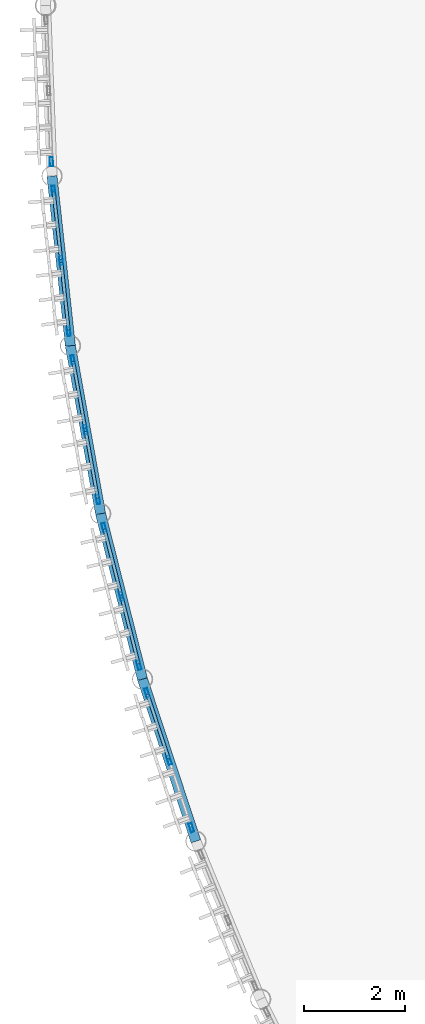
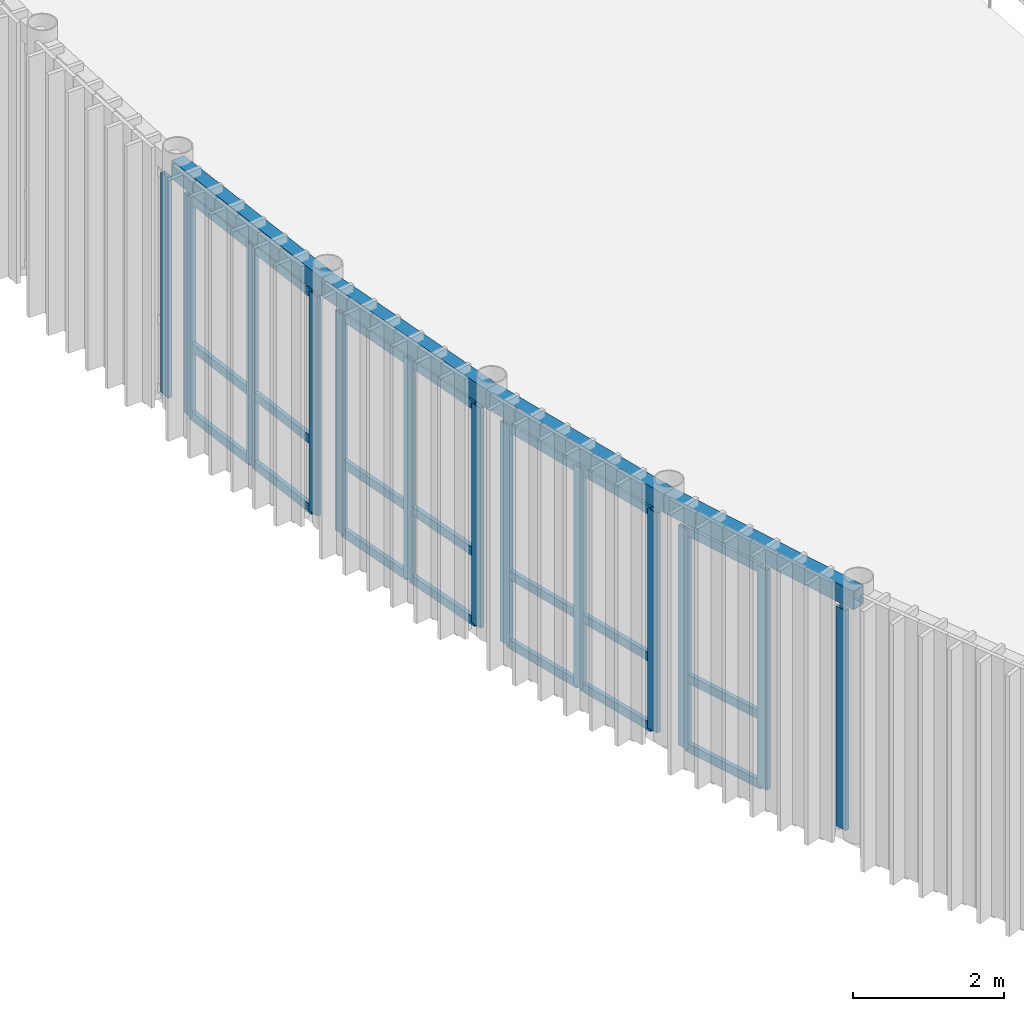
# One storey, part 19 of 54: 34 members, 4 beams, 5 elements without a shape of their own.
"""IFC4 building model written with IfcOpenShell, lengths in metres."""

from ifc_helpers import new_model, si_unit, direction, frame, origin, origin_2d, place, context, subcontext, project, spatial, hollow_rectangle, extrude, material, layer, layer_set, material_profile, profile_set, type_object, element, aggregate, save


model = new_model("IFC4")

# Units and contexts
model_context = context("Model", 3, precision=1e-05, world=origin(), true_north=direction((0.0, 1.0)))
body_context = subcontext(model_context, "Body", "Model", "MODEL_VIEW")
ifc_project = project(units=[si_unit("LENGTHUNIT", "METRE"), si_unit("AREAUNIT", "SQUARE_METRE"), si_unit("VOLUMEUNIT", "CUBIC_METRE"), si_unit("PLANEANGLEUNIT", "RADIAN"), si_unit("MASSUNIT", "GRAM", prefix="KILO")], contexts=[model_context])

# Site, building, storey
site_placement = place(None, origin())
site = spatial("IfcSite", under=ifc_project, at=site_placement, CompositionType="ELEMENT")
building_placement = place(site_placement, origin())
building = spatial("IfcBuilding", under=site, at=building_placement, Name="Selat Folded Stagehouse", CompositionType="ELEMENT")
storey_placement = place(building_placement, frame((0.0, 0.0, 15.0)))
storey = spatial("IfcBuildingStorey", under=building, at=storey_placement, Name="L03", CompositionType="ELEMENT", Elevation=15.0)

# Curtain wall, member
ifc_material_1 = material(Name="Aluminium 6063-T6", Category="aluminium")
ifc_layer = layer(ifc_material_1, 0.18505859375)
ifc_layer_set = layer_set([ifc_layer], Name="Aluminium 6063-T6")
curtain_wall_type = type_object("IfcCurtainWallType", Name="CW-DRM-UPPER", PredefinedType="NOTDEFINED", material=ifc_layer_set)
curtain_wall_1_placement = place(storey_placement, origin())
curtain_wall_1 = element("IfcCurtainWall", 1, at=curtain_wall_1_placement, inside=storey, type_object=curtain_wall_type, Name="L03 curtain wall CW-DRM-L03-02", PredefinedType="NOTDEFINED")
ifc_material_profile_1 = material_profile(ifc_material_1, hollow_rectangle(XDim=0.06494140625, YDim=0.179931640625, WallThickness=0.00390625, at=origin_2d()), Name="ALU 180x65x4.0")
ifc_profile_set_1 = profile_set([ifc_material_profile_1], Name="Aluminium 6063-T6")
member_type_1 = type_object("IfcMemberType", Name="CWM-MUL-180x65", PredefinedType="MULLION", material=ifc_profile_set_1)
member_1_placement = place(storey_placement, frame((0.115966796875, 44.79736328125, 0.0), z_axis=(0.0, 0.0, 1.0), x_axis=(-0.999293858167, -0.037573727908, 0.0)))
member_1 = element("IfcMember", 2, at=member_1_placement, type_object=member_type_1, Name="CW-03 mullion 1", PredefinedType="MULLION", context=body_context, shape_type="SweptSolid", body=[
    extrude(hollow_rectangle(XDim=0.06494140625, YDim=0.179931640625, WallThickness=0.00390625, at=origin_2d()), origin(), (0.0, 0.0, 1.0), 3.56005859375),
])
aggregate(curtain_wall_1, [member_1])

# Curtain wall, members
curtain_wall_2_placement = place(storey_placement, origin())
curtain_wall_2 = element("IfcCurtainWall", 3, at=curtain_wall_2_placement, inside=storey, type_object=curtain_wall_type, Name="L03 curtain wall CW-DRM-L03-03", PredefinedType="NOTDEFINED")
member_2_placement = place(storey_placement, frame((0.458740234375, 41.4462890625, 0.0), z_axis=(0.0, 0.0, 1.0), x_axis=(-0.994198790497, -0.107558193428, 0.0)))
member_2 = element("IfcMember", 4, at=member_2_placement, type_object=member_type_1, Name="CW-03 mullion 1", PredefinedType="MULLION", context=body_context, shape_type="SweptSolid", body=[
    extrude(hollow_rectangle(XDim=0.06494140625, YDim=0.179931640625, WallThickness=0.00390625, at=origin_2d()), origin(), (0.0, 0.0, 1.0), 3.56005859375),
])
member_3_placement = place(storey_placement, frame((0.307861328125, 42.84033203125, 0.0), z_axis=(0.0, 0.0, 1.0), x_axis=(-0.994198790497, -0.107558193428, 0.0)))
member_3 = element("IfcMember", 5, at=member_3_placement, type_object=member_type_1, Name="CW-03 mullion 2", PredefinedType="MULLION", context=body_context, shape_type="SweptSolid", body=[
    extrude(hollow_rectangle(XDim=0.06494140625, YDim=0.179931640625, WallThickness=0.00390625, at=origin_2d()), origin(), (0.0, 0.0, 1.0), 3.56005859375),
])
member_4_placement = place(storey_placement, frame((0.156982421875, 44.234130859375, 0.0), z_axis=(0.0, 0.0, 1.0), x_axis=(-0.994198790497, -0.107558193428, 0.0)))
member_4 = element("IfcMember", 6, at=member_4_placement, type_object=member_type_1, Name="CW-03 mullion 3", PredefinedType="MULLION", context=body_context, shape_type="SweptSolid", body=[
    extrude(hollow_rectangle(XDim=0.06494140625, YDim=0.179931640625, WallThickness=0.00390625, at=origin_2d()), origin(), (0.0, 0.0, 1.0), 3.56005859375),
])

curtain_wall_3_placement = place(storey_placement, origin())
curtain_wall_3 = element("IfcCurtainWall", 7, at=curtain_wall_3_placement, inside=storey, type_object=curtain_wall_type, Name="L03 curtain wall CW-DRM-L03-04", PredefinedType="NOTDEFINED")
member_5_placement = place(storey_placement, frame((1.035400390625, 38.127685546875, 0.0), z_axis=(0.0, 0.0, 1.0), x_axis=(-0.984210538572, -0.177001739435, 0.0)))
member_5 = element("IfcMember", 8, at=member_5_placement, type_object=member_type_1, Name="CW-03 mullion 1", PredefinedType="MULLION", context=body_context, shape_type="SweptSolid", body=[
    extrude(hollow_rectangle(XDim=0.06494140625, YDim=0.179931640625, WallThickness=0.00390625, at=origin_2d()), origin(), (0.0, 0.0, 1.0), 3.56005859375),
])
member_6_placement = place(storey_placement, frame((0.787353515625, 39.507568359375, 0.0), z_axis=(0.0, 0.0, 1.0), x_axis=(-0.984210538572, -0.177001739435, 0.0)))
member_6 = element("IfcMember", 9, at=member_6_placement, type_object=member_type_1, Name="CW-03 mullion 2", PredefinedType="MULLION", context=body_context, shape_type="SweptSolid", body=[
    extrude(hollow_rectangle(XDim=0.06494140625, YDim=0.179931640625, WallThickness=0.00390625, at=origin_2d()), origin(), (0.0, 0.0, 1.0), 3.56005859375),
])
member_7_placement = place(storey_placement, frame((0.5390625, 40.887451171875, 0.0), z_axis=(0.0, 0.0, 1.0), x_axis=(-0.984210538572, -0.177001739435, 0.0)))
member_7 = element("IfcMember", 10, at=member_7_placement, type_object=member_type_1, Name="CW-03 mullion 3", PredefinedType="MULLION", context=body_context, shape_type="SweptSolid", body=[
    extrude(hollow_rectangle(XDim=0.06494140625, YDim=0.179931640625, WallThickness=0.00390625, at=origin_2d()), origin(), (0.0, 0.0, 1.0), 3.56005859375),
])

curtain_wall_4_placement = place(storey_placement, origin())
curtain_wall_4 = element("IfcCurtainWall", 11, at=curtain_wall_4_placement, inside=storey, type_object=curtain_wall_type, Name="L03 curtain wall CW-DRM-L03-05", PredefinedType="NOTDEFINED")
member_8_placement = place(storey_placement, frame((1.843505859375, 34.857666015625, 0.0), z_axis=(0.0, 0.0, 1.0), x_axis=(-0.969366705351, -0.24561797686, 0.0)))
member_8 = element("IfcMember", 12, at=member_8_placement, type_object=member_type_1, Name="CW-03 mullion 1", PredefinedType="MULLION", context=body_context, shape_type="SweptSolid", body=[
    extrude(hollow_rectangle(XDim=0.06494140625, YDim=0.179931640625, WallThickness=0.00390625, at=origin_2d()), origin(), (0.0, 0.0, 1.0), 3.56005859375),
])
member_9_placement = place(storey_placement, frame((1.499267578125, 36.216796875, 0.0), z_axis=(0.0, 0.0, 1.0), x_axis=(-0.969366705351, -0.24561797686, 0.0)))
member_9 = element("IfcMember", 13, at=member_9_placement, type_object=member_type_1, Name="CW-03 mullion 2", PredefinedType="MULLION", context=body_context, shape_type="SweptSolid", body=[
    extrude(hollow_rectangle(XDim=0.06494140625, YDim=0.179931640625, WallThickness=0.00390625, at=origin_2d()), origin(), (0.0, 0.0, 1.0), 3.56005859375),
])
member_10_placement = place(storey_placement, frame((1.15478515625, 37.575927734375, 0.0), z_axis=(0.0, 0.0, 1.0), x_axis=(-0.969366705351, -0.24561797686, 0.0)))
member_10 = element("IfcMember", 14, at=member_10_placement, type_object=member_type_1, Name="CW-03 mullion 3", PredefinedType="MULLION", context=body_context, shape_type="SweptSolid", body=[
    extrude(hollow_rectangle(XDim=0.06494140625, YDim=0.179931640625, WallThickness=0.00390625, at=origin_2d()), origin(), (0.0, 0.0, 1.0), 3.56005859375),
])

curtain_wall_5_placement = place(storey_placement, origin())
curtain_wall_5 = element("IfcCurtainWall", 15, at=curtain_wall_5_placement, inside=storey, type_object=curtain_wall_type, Name="L03 curtain wall CW-DRM-L03-06", PredefinedType="NOTDEFINED")
member_11_placement = place(storey_placement, frame((2.879150390625, 31.652587890625, 0.0), z_axis=(0.0, 0.0, 1.0), x_axis=(-0.949754805107, -0.312994904395, 0.0)))
member_11 = element("IfcMember", 16, at=member_11_placement, type_object=member_type_1, Name="CW-03 mullion 1", PredefinedType="MULLION", context=body_context, shape_type="SweptSolid", body=[
    extrude(hollow_rectangle(XDim=0.06494140625, YDim=0.179931640625, WallThickness=0.00390625, at=origin_2d()), origin(), (0.0, 0.0, 1.0), 3.56005859375),
])
member_12_placement = place(storey_placement, frame((2.440185546875, 32.984130859375, 0.0), z_axis=(0.0, 0.0, 1.0), x_axis=(-0.949754805107, -0.312994904395, 0.0)))
member_12 = element("IfcMember", 17, at=member_12_placement, type_object=member_type_1, Name="CW-03 mullion 2", PredefinedType="MULLION", context=body_context, shape_type="SweptSolid", body=[
    extrude(hollow_rectangle(XDim=0.06494140625, YDim=0.179931640625, WallThickness=0.00390625, at=origin_2d()), origin(), (0.0, 0.0, 1.0), 3.56005859375),
])
member_13_placement = place(storey_placement, frame((2.00146484375, 34.315673828125, 0.0), z_axis=(0.0, 0.0, 1.0), x_axis=(-0.949754805107, -0.312994904395, 0.0)))
member_13 = element("IfcMember", 18, at=member_13_placement, type_object=member_type_1, Name="CW-03 mullion 3", PredefinedType="MULLION", context=body_context, shape_type="SweptSolid", body=[
    extrude(hollow_rectangle(XDim=0.06494140625, YDim=0.179931640625, WallThickness=0.00390625, at=origin_2d()), origin(), (0.0, 0.0, 1.0), 3.56005859375),
])

# Member
ifc_material_profile_2 = material_profile(ifc_material_1, hollow_rectangle(XDim=0.06494140625, YDim=0.139892578125, WallThickness=0.00390625, at=origin_2d()), Name="ALU 140x65x4.0")
ifc_profile_set_2 = profile_set([ifc_material_profile_2], Name="Aluminium 6063-T6")
member_type_2 = type_object("IfcMemberType", Name="CWM-TRN-140x65", PredefinedType="USERDEFINED", material=ifc_profile_set_2)
member_14_placement = place(storey_placement, frame((0.455322265625, 41.478515625, 0.032470703125), z_axis=(-0.107725727154, 0.994180651446, 0.0), x_axis=(-0.994180651446, -0.107725727154, 0.0)))
member_14 = element("IfcMember", 19, at=member_14_placement, type_object=member_type_2, Name="CW-03 transom 1.1", ObjectType="TRANSOM", PredefinedType="USERDEFINED", context=body_context, shape_type="SweptSolid", body=[
    extrude(hollow_rectangle(XDim=0.06494140625, YDim=0.139892578125, WallThickness=0.00390625, at=origin_2d()), origin(), (0.0, 0.0, 1.0), 1.337158203125),
])

member_15_placement = place(storey_placement, frame((0.455322265625, 41.478515625, 1.14990234375), z_axis=(-0.107725727154, 0.994180651446, 0.0), x_axis=(-0.994180651446, -0.107725727154, 0.0)))
member_15 = element("IfcMember", 20, at=member_15_placement, type_object=member_type_2, Name="CW-03 transom 1.2", ObjectType="TRANSOM", PredefinedType="USERDEFINED", context=body_context, shape_type="SweptSolid", body=[
    extrude(hollow_rectangle(XDim=0.06494140625, YDim=0.139892578125, WallThickness=0.00390625, at=origin_2d()), origin(), (0.0, 0.0, 1.0), 1.337158203125),
])

member_16_placement = place(storey_placement, frame((0.455322265625, 41.478515625, 3.527587890625), z_axis=(-0.107725727154, 0.994180651446, 0.0), x_axis=(-0.994180651446, -0.107725727154, 0.0)))
member_16 = element("IfcMember", 21, at=member_16_placement, type_object=member_type_2, Name="CW-03 transom 1.3", ObjectType="TRANSOM", PredefinedType="USERDEFINED", context=body_context, shape_type="SweptSolid", body=[
    extrude(hollow_rectangle(XDim=0.06494140625, YDim=0.139892578125, WallThickness=0.00390625, at=origin_2d()), origin(), (0.0, 0.0, 1.0), 1.337158203125),
])

member_17_placement = place(storey_placement, frame((0.304443359375, 42.87255859375, 0.032470703125), z_axis=(-0.107545254734, 0.994200190195, 0.0), x_axis=(-0.994200190195, -0.107545254734, 0.0)))
member_17 = element("IfcMember", 22, at=member_17_placement, type_object=member_type_2, Name="CW-03 transom 2.1", ObjectType="TRANSOM", PredefinedType="USERDEFINED", context=body_context, shape_type="SweptSolid", body=[
    extrude(hollow_rectangle(XDim=0.06494140625, YDim=0.139892578125, WallThickness=0.00390625, at=origin_2d()), origin(), (0.0, 0.0, 1.0), 1.337158203125),
])

member_18_placement = place(storey_placement, frame((0.304443359375, 42.87255859375, 1.14990234375), z_axis=(-0.107545254734, 0.994200190195, 0.0), x_axis=(-0.994200190195, -0.107545254734, 0.0)))
member_18 = element("IfcMember", 23, at=member_18_placement, type_object=member_type_2, Name="CW-03 transom 2.2", ObjectType="TRANSOM", PredefinedType="USERDEFINED", context=body_context, shape_type="SweptSolid", body=[
    extrude(hollow_rectangle(XDim=0.06494140625, YDim=0.139892578125, WallThickness=0.00390625, at=origin_2d()), origin(), (0.0, 0.0, 1.0), 1.337158203125),
])

member_19_placement = place(storey_placement, frame((0.304443359375, 42.87255859375, 3.527587890625), z_axis=(-0.107545254734, 0.994200190195, 0.0), x_axis=(-0.994200190195, -0.107545254734, 0.0)))
member_19 = element("IfcMember", 24, at=member_19_placement, type_object=member_type_2, Name="CW-03 transom 2.3", ObjectType="TRANSOM", PredefinedType="USERDEFINED", context=body_context, shape_type="SweptSolid", body=[
    extrude(hollow_rectangle(XDim=0.06494140625, YDim=0.139892578125, WallThickness=0.00390625, at=origin_2d()), origin(), (0.0, 0.0, 1.0), 1.337158203125),
])

aggregate(curtain_wall_2, [member_2, member_3, member_4, member_14, member_15, member_16, member_17, member_18, member_19])

member_20_placement = place(storey_placement, frame((1.02978515625, 38.15966796875, 0.032470703125), z_axis=(-0.177117625188, 0.98418969048, 0.0), x_axis=(-0.98418969048, -0.177117625188, 0.0)))
member_20 = element("IfcMember", 25, at=member_20_placement, type_object=member_type_2, Name="CW-03 transom 1.1", ObjectType="TRANSOM", PredefinedType="USERDEFINED", context=body_context, shape_type="SweptSolid", body=[
    extrude(hollow_rectangle(XDim=0.06494140625, YDim=0.139892578125, WallThickness=0.00390625, at=origin_2d()), origin(), (0.0, 0.0, 1.0), 1.337158203125),
])

member_21_placement = place(storey_placement, frame((1.02978515625, 38.15966796875, 1.14990234375), z_axis=(-0.177117625188, 0.98418969048, 0.0), x_axis=(-0.98418969048, -0.177117625188, 0.0)))
member_21 = element("IfcMember", 26, at=member_21_placement, type_object=member_type_2, Name="CW-03 transom 1.2", ObjectType="TRANSOM", PredefinedType="USERDEFINED", context=body_context, shape_type="SweptSolid", body=[
    extrude(hollow_rectangle(XDim=0.06494140625, YDim=0.139892578125, WallThickness=0.00390625, at=origin_2d()), origin(), (0.0, 0.0, 1.0), 1.337158203125),
])

member_22_placement = place(storey_placement, frame((1.02978515625, 38.15966796875, 3.527587890625), z_axis=(-0.177117625188, 0.98418969048, 0.0), x_axis=(-0.98418969048, -0.177117625188, 0.0)))
member_22 = element("IfcMember", 27, at=member_22_placement, type_object=member_type_2, Name="CW-03 transom 1.3", ObjectType="TRANSOM", PredefinedType="USERDEFINED", context=body_context, shape_type="SweptSolid", body=[
    extrude(hollow_rectangle(XDim=0.06494140625, YDim=0.139892578125, WallThickness=0.00390625, at=origin_2d()), origin(), (0.0, 0.0, 1.0), 1.337158203125),
])

member_23_placement = place(storey_placement, frame((0.781494140625, 39.53955078125, 0.032470703125), z_axis=(-0.176940749261, 0.984221505176, 0.0), x_axis=(-0.984221505176, -0.176940749261, 0.0)))
member_23 = element("IfcMember", 28, at=member_23_placement, type_object=member_type_2, Name="CW-03 transom 2.1", ObjectType="TRANSOM", PredefinedType="USERDEFINED", context=body_context, shape_type="SweptSolid", body=[
    extrude(hollow_rectangle(XDim=0.06494140625, YDim=0.139892578125, WallThickness=0.00390625, at=origin_2d()), origin(), (0.0, 0.0, 1.0), 1.3369140625),
])

member_24_placement = place(storey_placement, frame((0.781494140625, 39.53955078125, 1.14990234375), z_axis=(-0.176940749261, 0.984221505176, 0.0), x_axis=(-0.984221505176, -0.176940749261, 0.0)))
member_24 = element("IfcMember", 29, at=member_24_placement, type_object=member_type_2, Name="CW-03 transom 2.2", ObjectType="TRANSOM", PredefinedType="USERDEFINED", context=body_context, shape_type="SweptSolid", body=[
    extrude(hollow_rectangle(XDim=0.06494140625, YDim=0.139892578125, WallThickness=0.00390625, at=origin_2d()), origin(), (0.0, 0.0, 1.0), 1.3369140625),
])

member_25_placement = place(storey_placement, frame((0.781494140625, 39.53955078125, 3.527587890625), z_axis=(-0.176940749261, 0.984221505176, 0.0), x_axis=(-0.984221505176, -0.176940749261, 0.0)))
member_25 = element("IfcMember", 30, at=member_25_placement, type_object=member_type_2, Name="CW-03 transom 2.3", ObjectType="TRANSOM", PredefinedType="USERDEFINED", context=body_context, shape_type="SweptSolid", body=[
    extrude(hollow_rectangle(XDim=0.06494140625, YDim=0.139892578125, WallThickness=0.00390625, at=origin_2d()), origin(), (0.0, 0.0, 1.0), 1.3369140625),
])

aggregate(curtain_wall_3, [member_5, member_6, member_7, member_20, member_21, member_22, member_23, member_24, member_25])

member_26_placement = place(storey_placement, frame((1.835693359375, 34.88916015625, 0.032470703125), z_axis=(-0.245584768356, 0.969375119111, 0.0), x_axis=(-0.969375119111, -0.245584768356, 0.0)))
member_26 = element("IfcMember", 31, at=member_26_placement, type_object=member_type_2, Name="CW-03 transom 1.1", ObjectType="TRANSOM", PredefinedType="USERDEFINED", context=body_context, shape_type="SweptSolid", body=[
    extrude(hollow_rectangle(XDim=0.06494140625, YDim=0.139892578125, WallThickness=0.00390625, at=origin_2d()), origin(), (0.0, 0.0, 1.0), 1.337158203125),
])

member_27_placement = place(storey_placement, frame((1.835693359375, 34.88916015625, 1.14990234375), z_axis=(-0.245584768356, 0.969375119111, 0.0), x_axis=(-0.969375119111, -0.245584768356, 0.0)))
member_27 = element("IfcMember", 32, at=member_27_placement, type_object=member_type_2, Name="CW-03 transom 1.2", ObjectType="TRANSOM", PredefinedType="USERDEFINED", context=body_context, shape_type="SweptSolid", body=[
    extrude(hollow_rectangle(XDim=0.06494140625, YDim=0.139892578125, WallThickness=0.00390625, at=origin_2d()), origin(), (0.0, 0.0, 1.0), 1.337158203125),
])

member_28_placement = place(storey_placement, frame((1.835693359375, 34.88916015625, 3.527587890625), z_axis=(-0.245584768356, 0.969375119111, 0.0), x_axis=(-0.969375119111, -0.245584768356, 0.0)))
member_28 = element("IfcMember", 33, at=member_28_placement, type_object=member_type_2, Name="CW-03 transom 1.3", ObjectType="TRANSOM", PredefinedType="USERDEFINED", context=body_context, shape_type="SweptSolid", body=[
    extrude(hollow_rectangle(XDim=0.06494140625, YDim=0.139892578125, WallThickness=0.00390625, at=origin_2d()), origin(), (0.0, 0.0, 1.0), 1.337158203125),
])

member_29_placement = place(storey_placement, frame((1.4912109375, 36.248291015625, 0.032470703125), z_axis=(-0.245584768356, 0.969375119111, 0.0), x_axis=(-0.969375119111, -0.245584768356, 0.0)))
member_29 = element("IfcMember", 34, at=member_29_placement, type_object=member_type_2, Name="CW-03 transom 2.1", ObjectType="TRANSOM", PredefinedType="USERDEFINED", context=body_context, shape_type="SweptSolid", body=[
    extrude(hollow_rectangle(XDim=0.06494140625, YDim=0.139892578125, WallThickness=0.00390625, at=origin_2d()), origin(), (0.0, 0.0, 1.0), 1.337158203125),
])

member_30_placement = place(storey_placement, frame((1.4912109375, 36.248291015625, 1.14990234375), z_axis=(-0.245584768356, 0.969375119111, 0.0), x_axis=(-0.969375119111, -0.245584768356, 0.0)))
member_30 = element("IfcMember", 35, at=member_30_placement, type_object=member_type_2, Name="CW-03 transom 2.2", ObjectType="TRANSOM", PredefinedType="USERDEFINED", context=body_context, shape_type="SweptSolid", body=[
    extrude(hollow_rectangle(XDim=0.06494140625, YDim=0.139892578125, WallThickness=0.00390625, at=origin_2d()), origin(), (0.0, 0.0, 1.0), 1.337158203125),
])

member_31_placement = place(storey_placement, frame((1.4912109375, 36.248291015625, 3.527587890625), z_axis=(-0.245584768356, 0.969375119111, 0.0), x_axis=(-0.969375119111, -0.245584768356, 0.0)))
member_31 = element("IfcMember", 36, at=member_31_placement, type_object=member_type_2, Name="CW-03 transom 2.3", ObjectType="TRANSOM", PredefinedType="USERDEFINED", context=body_context, shape_type="SweptSolid", body=[
    extrude(hollow_rectangle(XDim=0.06494140625, YDim=0.139892578125, WallThickness=0.00390625, at=origin_2d()), origin(), (0.0, 0.0, 1.0), 1.337158203125),
])

aggregate(curtain_wall_4, [member_8, member_9, member_10, member_26, member_27, member_28, member_29, member_30, member_31])

member_32_placement = place(storey_placement, frame((2.43017578125, 33.014892578125, 0.032470703125), z_axis=(-0.312993731662, 0.949755191584, 0.0), x_axis=(-0.949755191584, -0.312993731662, 0.0)))
member_32 = element("IfcMember", 37, at=member_32_placement, type_object=member_type_2, Name="CW-03 transom 2.1", ObjectType="TRANSOM", PredefinedType="USERDEFINED", context=body_context, shape_type="SweptSolid", body=[
    extrude(hollow_rectangle(XDim=0.06494140625, YDim=0.139892578125, WallThickness=0.00390625, at=origin_2d()), origin(), (0.0, 0.0, 1.0), 1.3369140625),
])

member_33_placement = place(storey_placement, frame((2.43017578125, 33.014892578125, 1.14990234375), z_axis=(-0.312993731662, 0.949755191584, 0.0), x_axis=(-0.949755191584, -0.312993731662, 0.0)))
member_33 = element("IfcMember", 38, at=member_33_placement, type_object=member_type_2, Name="CW-03 transom 2.2", ObjectType="TRANSOM", PredefinedType="USERDEFINED", context=body_context, shape_type="SweptSolid", body=[
    extrude(hollow_rectangle(XDim=0.06494140625, YDim=0.139892578125, WallThickness=0.00390625, at=origin_2d()), origin(), (0.0, 0.0, 1.0), 1.3369140625),
])

member_34_placement = place(storey_placement, frame((2.43017578125, 33.014892578125, 3.527587890625), z_axis=(-0.312993731662, 0.949755191584, 0.0), x_axis=(-0.949755191584, -0.312993731662, 0.0)))
member_34 = element("IfcMember", 39, at=member_34_placement, type_object=member_type_2, Name="CW-03 transom 2.3", ObjectType="TRANSOM", PredefinedType="USERDEFINED", context=body_context, shape_type="SweptSolid", body=[
    extrude(hollow_rectangle(XDim=0.06494140625, YDim=0.139892578125, WallThickness=0.00390625, at=origin_2d()), origin(), (0.0, 0.0, 1.0), 1.3369140625),
])

aggregate(curtain_wall_5, [member_11, member_12, member_13, member_32, member_33, member_34])

# Beams
ifc_material_2 = material(Name="Steel S355", Category="steel")
ifc_material_profile_3 = material_profile(ifc_material_2, hollow_rectangle(XDim=0.199951171875, YDim=0.300048828125, WallThickness=0.012451171875, at=origin_2d()), Name="RHS 300x200x12.5")
ifc_profile_set_3 = profile_set([ifc_material_profile_3], Name="Steel S355")
beam_type = type_object("IfcBeamType", Name="SPD-RHS-300x200", PredefinedType="SPANDREL", material=ifc_profile_set_3)
beam_1_placement = place(storey_placement, frame((0.126708984375, 44.514892578125, 3.85009765625), z_axis=(0.107543794494, -0.994200348152, 0.0), x_axis=(0.994200348152, 0.107543794494, 0.0)))
element("IfcBeam", 40, at=beam_1_placement, inside=storey, type_object=beam_type, Name="L03 curved drum spandrel beam 4", PredefinedType="SPANDREL", context=body_context, shape_type="SweptSolid", body=[
    extrude(hollow_rectangle(XDim=0.199951171875, YDim=0.300048828125, WallThickness=0.012451171875, at=origin_2d()), origin(), (0.0, 0.0, 1.0), 3.368896484375),
])
beam_2_placement = place(storey_placement, frame((0.489013671875, 41.16552734375, 3.85009765625), z_axis=(0.177029462848, -0.984205552354, 0.0), x_axis=(0.984205552354, 0.177029462848, 0.0)))
element("IfcBeam", 41, at=beam_2_placement, inside=storey, type_object=beam_type, Name="L03 curved drum spandrel beam 5", PredefinedType="SPANDREL", context=body_context, shape_type="SweptSolid", body=[
    extrude(hollow_rectangle(XDim=0.199951171875, YDim=0.300048828125, WallThickness=0.012451171875, at=origin_2d()), origin(), (0.0, 0.0, 1.0), 3.369140625),
])
for number, where, z_axis, x_axis, name in (
    (42, (1.08544921875, 37.849609375, 3.85009765625), (0.245671863024, -0.96935305009, 0.0), (0.96935305009, 0.245671863024, 0.0), "L03 curved drum spandrel beam 6"),
    (43, (1.9130859375, 34.583984375, 3.85009765625), (0.312986630522, -0.949757531749, 0.0), (0.949757531749, 0.312986630522, 0.0), "L03 curved drum spandrel beam 7"),
):
    element("IfcBeam", number, at=place(storey_placement, frame(where, z_axis=z_axis, x_axis=x_axis)), inside=storey, type_object=beam_type, Name=name, PredefinedType="SPANDREL", context=body_context, shape_type="SweptSolid", body=[
        extrude(hollow_rectangle(XDim=0.199951171875, YDim=0.300048828125, WallThickness=0.012451171875, at=origin_2d()), origin(), (0.0, 0.0, 1.0), 3.368896484375),
    ])

save(model, "model.ifc")
